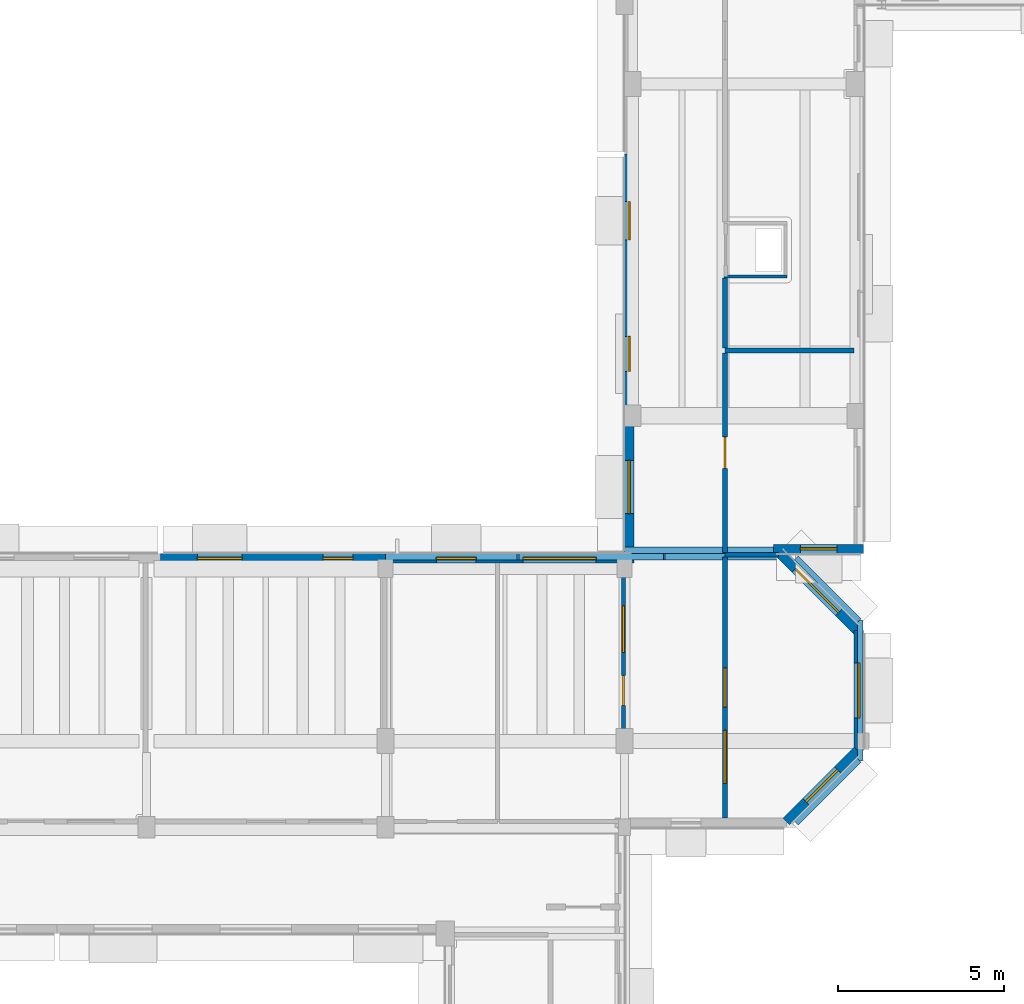
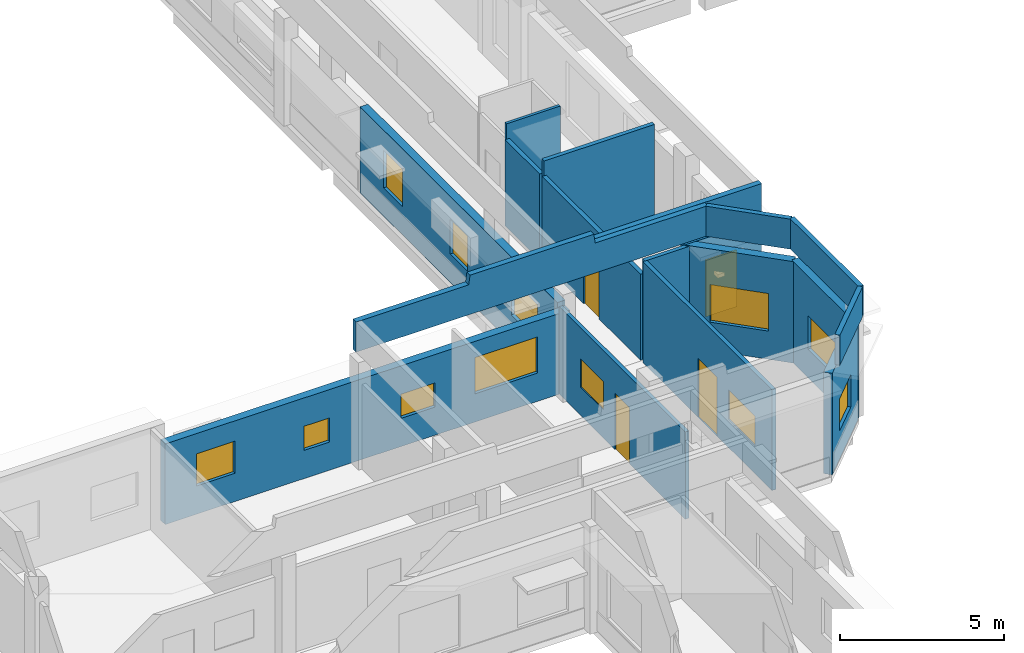
# One storey, part 11 of 17: 18 walls, 13 windows, 3 doors, 16 openings.
"""IFC4 building model written with IfcOpenShell, lengths in metres."""

from ifc_helpers import new_model, si_unit, direction, frame, frame_2d, origin, place, context, subcontext, project, spatial, polyline, rectangle, outline, extrude, material, layer, layer_set, type_object, element, fill, save


model = new_model("IFC4")

# Units and contexts
model_context = context("Model", 3, precision=1e-05, world=origin(), true_north=direction((0.0, 1.0)))
body_context = subcontext(model_context, "Body", "Model", "MODEL_VIEW")
ifc_project = project(units=[si_unit("LENGTHUNIT", "METRE"), si_unit("AREAUNIT", "SQUARE_METRE"), si_unit("VOLUMEUNIT", "CUBIC_METRE"), si_unit("PLANEANGLEUNIT", "RADIAN"), si_unit("MASSUNIT", "GRAM", prefix="KILO")], contexts=[model_context])

# Site, building, storey
site_placement = place(None, origin())
site = spatial("IfcSite", under=ifc_project, at=site_placement, CompositionType="ELEMENT")
building_placement = place(site_placement, origin())
building = spatial("IfcBuilding", under=site, at=building_placement, Name="Kelanivale Promenade Academy", CompositionType="ELEMENT")
storey_placement = place(building_placement, frame((0.0, 0.0, 20.199951171875)))
storey = spatial("IfcBuildingStorey", under=building, at=storey_placement, Name="L05", CompositionType="ELEMENT", Elevation=20.199951171875)

# Wall, opening, window
ifc_material_1 = material(Name="Insulated ivory stucco masonry wall 280 mm", Category="masonry")
ifc_layer_1 = layer(ifc_material_1, 0.280029296875)
ifc_layer_set_1 = layer_set([ifc_layer_1], Name="Insulated ivory stucco masonry wall 280 mm")
wall_type_1 = type_object("IfcWallType", Name="EW-02 Wall 280mm", PredefinedType="SOLIDWALL", material=ifc_layer_set_1)
wall_1_placement = place(storey_placement, frame((120.47607421875, 71.783935546875, 0.0), z_axis=(0.0, 0.0, 1.0), x_axis=(0.707066445384, 0.707147114688, 0.0)))
wall_1 = element("IfcWall", 1, at=wall_1_placement, inside=storey, type_object=wall_type_1, Name="L05 exterior facade wall EW-L05-ORT-0570", PredefinedType="SOLIDWALL", context=body_context, shape_type="SweptSolid", body=[
    extrude(rectangle(XDim=3.0263671875, YDim=0.280029296875, at=frame_2d((1.51318359375, 0.0))), origin(), (0.0, 0.0, 1.0), 3.780029296875),
])
opening_1_placement = place(wall_1_placement, frame((0.837890625, 0.0, 1.050048828125)))
opening_1 = element("IfcOpeningElement", 2, at=opening_1_placement, cuts=wall_1, Name="Opening WT-34", PredefinedType="OPENING", context=body_context, shape_type="SweptSolid", body=[
    extrude(rectangle(XDim=1.35009765625, YDim=1.199951171875, at=frame_2d((0.675048828125, 0.60009765625))), frame((0.0, 0.14990234375, 0.0), z_axis=(0.0, -1.0, 0.0), x_axis=(1.0, 0.0, 0.0)), (0.0, 0.0, 1.0), 0.300048828125),
])
ifc_material_2 = material(Name="Bronze anodised aluminium frame with low-E laminated glass", Category="aluminium")
window_type_1 = type_object("IfcWindowType", Name="WT-34 Window 1350x1200", PartitioningType="SINGLE_PANEL", PredefinedType="WINDOW", material=ifc_material_2)
window_1_placement = place(opening_1_placement, origin())
window_1 = element("IfcWindow", 3, at=window_1_placement, inside=storey, type_object=window_type_1, Name="Window WT-34", OverallHeight=1.199951171875, OverallWidth=1.35009765625, PartitioningType="SINGLE_PANEL", PredefinedType="WINDOW", context=body_context, shape_type="SweptSolid", body=[
    extrude(rectangle(XDim=1.35009765625, YDim=1.199951171875, at=frame_2d((0.675048828125, 0.60009765625))), frame((0.0, 0.030029296875, 0.0), z_axis=(0.0, -1.0, 0.0), x_axis=(1.0, 0.0, 0.0)), (0.0, 0.0, 1.0), 0.06005859375),
])
fill(opening_1, window_1)

wall_2_placement = place(storey_placement, frame((122.659912109375, 73.912109375, 0.0), z_axis=(0.0, 0.0, 1.0), x_axis=(0.0, 1.0, 0.0)))
wall_2 = element("IfcWall", 4, at=wall_2_placement, inside=storey, type_object=wall_type_1, Name="L05 exterior facade wall EW-L05-ORT-0571", PredefinedType="SOLIDWALL", context=body_context, shape_type="SweptSolid", body=[
    extrude(rectangle(XDim=3.6259765625, YDim=0.280029296875, at=frame_2d((1.81298828125, 0.0))), origin(), (0.0, 0.0, 1.0), 3.780029296875),
])
opening_2_placement = place(wall_2_placement, frame((0.988037109375, 0.0, 1.050048828125)))
opening_2 = element("IfcOpeningElement", 5, at=opening_2_placement, cuts=wall_2, Name="Opening WT-35", PredefinedType="OPENING", context=body_context, shape_type="SweptSolid", body=[
    extrude(rectangle(XDim=1.64990234375, YDim=1.25, at=frame_2d((0.824951171875, 0.625))), frame((0.0, 0.14990234375, 0.0), z_axis=(0.0, -1.0, 0.0), x_axis=(1.0, 0.0, 0.0)), (0.0, 0.0, 1.0), 0.300048828125),
])
window_type_2 = type_object("IfcWindowType", Name="WT-35 Window 1650x1250", PartitioningType="SINGLE_PANEL", PredefinedType="WINDOW", material=ifc_material_2)
window_2_placement = place(opening_2_placement, origin())
window_2 = element("IfcWindow", 6, at=window_2_placement, inside=storey, type_object=window_type_2, Name="Window WT-35", OverallHeight=1.25, OverallWidth=1.64990234375, PartitioningType="SINGLE_PANEL", PredefinedType="WINDOW", context=body_context, shape_type="SweptSolid", body=[
    extrude(rectangle(XDim=1.64990234375, YDim=1.25, at=frame_2d((0.824951171875, 0.625))), frame((0.0, 0.030029296875, 0.0), z_axis=(0.0, -1.0, 0.0), x_axis=(1.0, 0.0, 0.0)), (0.0, 0.0, 1.0), 0.06005859375),
])
fill(opening_2, window_2)

wall_3_placement = place(storey_placement, frame((122.615966796875, 77.52587890625, 0.0), z_axis=(0.0, 0.0, 1.0), x_axis=(-0.707071112858, 0.707142447716, 0.0)))
wall_3 = element("IfcWall", 7, at=wall_3_placement, inside=storey, type_object=wall_type_1, Name="L05 exterior facade wall EW-L05-ORT-0572", PredefinedType="SOLIDWALL", context=body_context, shape_type="SweptSolid", body=[
    extrude(rectangle(XDim=3.42236328125, YDim=0.280029296875, at=frame_2d((1.711181640625, 0.0))), origin(), (0.0, 0.0, 1.0), 3.780029296875),
])
opening_3_placement = place(wall_3_placement, frame((0.785888671875, 0.0, 1.050048828125)))
opening_3 = element("IfcOpeningElement", 8, at=opening_3_placement, cuts=wall_3, Name="Opening WT-36", PredefinedType="OPENING", context=body_context, shape_type="SweptSolid", body=[
    extrude(rectangle(XDim=1.85009765625, YDim=1.39990234375, at=frame_2d((0.925048828125, 0.699951171875))), frame((0.0, 0.14990234375, 0.0), z_axis=(0.0, -1.0, 0.0), x_axis=(1.0, 0.0, 0.0)), (0.0, 0.0, 1.0), 0.300048828125),
])
window_type_3 = type_object("IfcWindowType", Name="WT-36 Window 1850x1400", PartitioningType="SINGLE_PANEL", PredefinedType="WINDOW", material=ifc_material_2)
window_3_placement = place(opening_3_placement, origin())
window_3 = element("IfcWindow", 9, at=window_3_placement, inside=storey, type_object=window_type_3, Name="Window WT-36", OverallHeight=1.39990234375, OverallWidth=1.85009765625, PartitioningType="SINGLE_PANEL", PredefinedType="WINDOW", context=body_context, shape_type="SweptSolid", body=[
    extrude(rectangle(XDim=1.85009765625, YDim=1.39990234375, at=frame_2d((0.925048828125, 0.699951171875))), frame((0.0, 0.030029296875, 0.0), z_axis=(0.0, -1.0, 0.0), x_axis=(1.0, 0.0, 0.0)), (0.0, 0.0, 1.0), 0.06005859375),
])
fill(opening_3, window_3)

wall_4_placement = place(storey_placement, frame((120.095947265625, 79.989990234375, 0.0), z_axis=(0.0, 0.0, 1.0), x_axis=(1.0, 0.0, 0.0)))
wall_4 = element("IfcWall", 10, at=wall_4_placement, inside=storey, type_object=wall_type_1, Name="L05 exterior facade wall EW-L05-ORT-0573", PredefinedType="SOLIDWALL", context=body_context, shape_type="SweptSolid", body=[
    extrude(rectangle(XDim=2.7041015625, YDim=0.280029296875, at=frame_2d((1.35205078125, 0.0))), origin(), (0.0, 0.0, 1.0), 3.780029296875),
])
opening_4_placement = place(wall_4_placement, frame((0.802001953125, 0.0, 0.75)))
opening_4 = element("IfcOpeningElement", 11, at=opening_4_placement, cuts=wall_4, Name="Opening WT-17", PredefinedType="OPENING", context=body_context, shape_type="SweptSolid", body=[
    extrude(rectangle(XDim=1.10009765625, YDim=2.10009765625, at=frame_2d((0.550048828125, 1.050048828125))), frame((0.0, 0.14990234375, 0.0), z_axis=(0.0, -1.0, 0.0), x_axis=(1.0, 0.0, 0.0)), (0.0, 0.0, 1.0), 0.300048828125),
])
window_type_4 = type_object("IfcWindowType", Name="WT-17 Window 1100x2100", PartitioningType="SINGLE_PANEL", PredefinedType="WINDOW", material=ifc_material_2)
window_4_placement = place(opening_4_placement, origin())
window_4 = element("IfcWindow", 12, at=window_4_placement, inside=storey, type_object=window_type_4, Name="Window WT-17", OverallHeight=2.10009765625, OverallWidth=1.10009765625, PartitioningType="SINGLE_PANEL", PredefinedType="WINDOW", context=body_context, shape_type="SweptSolid", body=[
    extrude(rectangle(XDim=1.10009765625, YDim=2.10009765625, at=frame_2d((0.550048828125, 1.050048828125))), frame((0.0, 0.030029296875, 0.0), z_axis=(0.0, -1.0, 0.0), x_axis=(1.0, 0.0, 0.0)), (0.0, 0.0, 1.0), 0.06005859375),
])
fill(opening_4, window_4)

# Wall, openings, windows
wall_5_placement = place(storey_placement, frame((115.739990234375, 91.885009765625, 0.0), z_axis=(0.0, 0.0, 1.0), x_axis=(0.0, -1.0, 0.0)))
wall_5 = element("IfcWall", 13, at=wall_5_placement, inside=storey, type_object=wall_type_1, Name="L05 exterior facade wall EW-L05-ORT-0583", PredefinedType="SOLIDWALL", context=body_context, shape_type="SweptSolid", body=[
    extrude(rectangle(XDim=12.034912109375, YDim=0.280029296875, at=frame_2d((6.017578125, 0.0))), origin(), (0.0, 0.0, 1.0), 3.205078125),
])
opening_5_placement = place(wall_5_placement, frame((1.430908203125, 0.0, 1.050048828125)))
opening_5 = element("IfcOpeningElement", 14, at=opening_5_placement, cuts=wall_5, Name="Opening WT-29", PredefinedType="OPENING", context=body_context, shape_type="SweptSolid", body=[
    extrude(rectangle(XDim=1.14990234375, YDim=1.39990234375, at=frame_2d((0.574951171875, 0.699951171875))), frame((0.0, 0.14990234375, 0.0), z_axis=(0.0, -1.0, 0.0), x_axis=(1.0, 0.0, 0.0)), (0.0, 0.0, 1.0), 0.300048828125),
])
opening_6_placement = place(wall_5_placement, frame((5.492919921875, 0.0, 1.050048828125)))
opening_6 = element("IfcOpeningElement", 15, at=opening_6_placement, cuts=wall_5, Name="Opening WT-30", PredefinedType="OPENING", context=body_context, shape_type="SweptSolid", body=[
    extrude(rectangle(XDim=1.050048828125, YDim=1.300048828125, at=frame_2d((0.52490234375, 0.64990234375))), frame((0.0, 0.14990234375, 0.0), z_axis=(0.0, -1.0, 0.0), x_axis=(1.0, 0.0, 0.0)), (0.0, 0.0, 1.0), 0.300048828125),
])
opening_7_placement = place(wall_5_placement, frame((9.22900390625, 0.0, 1.050048828125)))
opening_7 = element("IfcOpeningElement", 16, at=opening_7_placement, cuts=wall_5, Name="Opening WT-07", PredefinedType="OPENING", context=body_context, shape_type="SweptSolid", body=[
    extrude(rectangle(XDim=1.60009765625, YDim=1.35009765625, at=frame_2d((0.800048828125, 0.675048828125))), frame((0.0, 0.14990234375, 0.0), z_axis=(0.0, -1.0, 0.0), x_axis=(1.0, 0.0, 0.0)), (0.0, 0.0, 1.0), 0.300048828125),
])
window_type_5 = type_object("IfcWindowType", Name="WT-07 Window 1600x1350", PartitioningType="SINGLE_PANEL", PredefinedType="WINDOW", material=ifc_material_2)
window_5_placement = place(opening_7_placement, origin())
window_5 = element("IfcWindow", 17, at=window_5_placement, inside=storey, type_object=window_type_5, Name="Window WT-07", OverallHeight=1.35009765625, OverallWidth=1.60009765625, PartitioningType="SINGLE_PANEL", PredefinedType="WINDOW", context=body_context, shape_type="SweptSolid", body=[
    extrude(rectangle(XDim=1.60009765625, YDim=1.35009765625, at=frame_2d((0.800048828125, 0.675048828125))), frame((0.0, 0.030029296875, 0.0), z_axis=(0.0, -1.0, 0.0), x_axis=(1.0, 0.0, 0.0)), (0.0, 0.0, 1.0), 0.06005859375),
])
fill(opening_7, window_5)
window_type_6 = type_object("IfcWindowType", Name="WT-29 Window 1150x1400", PartitioningType="SINGLE_PANEL", PredefinedType="WINDOW", material=ifc_material_2)
window_6_placement = place(opening_5_placement, origin())
window_6 = element("IfcWindow", 18, at=window_6_placement, inside=storey, type_object=window_type_6, Name="Window WT-29", OverallHeight=1.39990234375, OverallWidth=1.14990234375, PartitioningType="SINGLE_PANEL", PredefinedType="WINDOW", context=body_context, shape_type="SweptSolid", body=[
    extrude(rectangle(XDim=1.14990234375, YDim=1.39990234375, at=frame_2d((0.574951171875, 0.699951171875))), frame((0.0, 0.030029296875, 0.0), z_axis=(0.0, -1.0, 0.0), x_axis=(1.0, 0.0, 0.0)), (0.0, 0.0, 1.0), 0.06005859375),
])
fill(opening_5, window_6)
window_type_7 = type_object("IfcWindowType", Name="WT-30 Window 1050x1300", PartitioningType="SINGLE_PANEL", PredefinedType="WINDOW", material=ifc_material_2)
window_7_placement = place(opening_6_placement, origin())
window_7 = element("IfcWindow", 19, at=window_7_placement, inside=storey, type_object=window_type_7, Name="Window WT-30", OverallHeight=1.300048828125, OverallWidth=1.050048828125, PartitioningType="SINGLE_PANEL", PredefinedType="WINDOW", context=body_context, shape_type="SweptSolid", body=[
    extrude(rectangle(XDim=1.050048828125, YDim=1.300048828125, at=frame_2d((0.52490234375, 0.64990234375))), frame((0.0, 0.030029296875, 0.0), z_axis=(0.0, -1.0, 0.0), x_axis=(1.0, 0.0, 0.0)), (0.0, 0.0, 1.0), 0.06005859375),
])
fill(opening_6, window_7)

wall_6_placement = place(storey_placement, frame((115.8798828125, 79.7099609375, 0.0), z_axis=(0.0, 0.0, 1.0), x_axis=(-1.0, 0.0, 0.0)))
wall_6 = element("IfcWall", 20, at=wall_6_placement, inside=storey, type_object=wall_type_1, Name="L05 exterior facade wall EW-L05-ORT-0584", PredefinedType="SOLIDWALL", context=body_context, shape_type="SweptSolid", body=[
    extrude(rectangle(XDim=14.2568359375, YDim=0.280029296875, at=frame_2d((7.12841796875, 0.0))), origin(), (0.0, 0.0, 1.0), 3.005126953125),
])
opening_8_placement = place(wall_6_placement, frame((1.132080078125, 0.0, 1.050048828125)))
opening_8 = element("IfcOpeningElement", 21, at=opening_8_placement, cuts=wall_6, Name="Opening WT-08", PredefinedType="OPENING", context=body_context, shape_type="SweptSolid", body=[
    extrude(rectangle(XDim=2.199951171875, YDim=1.35009765625, at=frame_2d((1.10009765625, 0.675048828125))), frame((0.0, 0.14990234375, 0.0), z_axis=(0.0, -1.0, 0.0), x_axis=(1.0, 0.0, 0.0)), (0.0, 0.0, 1.0), 0.300048828125),
])
opening_9_placement = place(wall_6_placement, frame((4.74609375, 0.0, 1.050048828125)))
opening_9 = element("IfcOpeningElement", 22, at=opening_9_placement, cuts=wall_6, Name="Opening WT-09", PredefinedType="OPENING", context=body_context, shape_type="SweptSolid", body=[
    extrude(rectangle(XDim=1.199951171875, YDim=0.89990234375, at=frame_2d((0.60009765625, 0.449951171875))), frame((0.0, 0.14990234375, 0.0), z_axis=(0.0, -1.0, 0.0), x_axis=(1.0, 0.0, 0.0)), (0.0, 0.0, 1.0), 0.300048828125),
])
opening_10_placement = place(wall_6_placement, frame((8.4609375, 0.0, 1.050048828125)))
opening_10 = element("IfcOpeningElement", 23, at=opening_10_placement, cuts=wall_6, Name="Opening WT-10", PredefinedType="OPENING", context=body_context, shape_type="SweptSolid", body=[
    extrude(rectangle(XDim=0.89990234375, YDim=0.89990234375, at=frame_2d((0.449951171875, 0.449951171875))), frame((0.0, 0.14990234375, 0.0), z_axis=(0.0, -1.0, 0.0), x_axis=(1.0, 0.0, 0.0)), (0.0, 0.0, 1.0), 0.300048828125),
])
opening_11_placement = place(wall_6_placement, frame((11.800048828125, 0.0, 1.050048828125)))
opening_11 = element("IfcOpeningElement", 24, at=opening_11_placement, cuts=wall_6, Name="Opening WT-34", PredefinedType="OPENING", context=body_context, shape_type="SweptSolid", body=[
    extrude(rectangle(XDim=1.35009765625, YDim=1.199951171875, at=frame_2d((0.675048828125, 0.60009765625))), frame((0.0, 0.14990234375, 0.0), z_axis=(0.0, -1.0, 0.0), x_axis=(1.0, 0.0, 0.0)), (0.0, 0.0, 1.0), 0.300048828125),
])
window_type_8 = type_object("IfcWindowType", Name="WT-08 Window 2200x1350", PartitioningType="SINGLE_PANEL", PredefinedType="WINDOW", material=ifc_material_2)
window_8_placement = place(opening_8_placement, origin())
window_8 = element("IfcWindow", 25, at=window_8_placement, inside=storey, type_object=window_type_8, Name="Window WT-08", OverallHeight=1.35009765625, OverallWidth=2.199951171875, PartitioningType="SINGLE_PANEL", PredefinedType="WINDOW", context=body_context, shape_type="SweptSolid", body=[
    extrude(rectangle(XDim=2.199951171875, YDim=1.35009765625, at=frame_2d((1.10009765625, 0.675048828125))), frame((0.0, 0.030029296875, 0.0), z_axis=(0.0, -1.0, 0.0), x_axis=(1.0, 0.0, 0.0)), (0.0, 0.0, 1.0), 0.06005859375),
])
fill(opening_8, window_8)
window_type_9 = type_object("IfcWindowType", Name="WT-09 Window 1200x900", PartitioningType="SINGLE_PANEL", PredefinedType="WINDOW", material=ifc_material_2)
window_9_placement = place(opening_9_placement, origin())
window_9 = element("IfcWindow", 26, at=window_9_placement, inside=storey, type_object=window_type_9, Name="Window WT-09", OverallHeight=0.89990234375, OverallWidth=1.199951171875, PartitioningType="SINGLE_PANEL", PredefinedType="WINDOW", context=body_context, shape_type="SweptSolid", body=[
    extrude(rectangle(XDim=1.199951171875, YDim=0.89990234375, at=frame_2d((0.60009765625, 0.449951171875))), frame((0.0, 0.030029296875, 0.0), z_axis=(0.0, -1.0, 0.0), x_axis=(1.0, 0.0, 0.0)), (0.0, 0.0, 1.0), 0.06005859375),
])
fill(opening_9, window_9)
window_type_10 = type_object("IfcWindowType", Name="WT-10 Window 900x900", PartitioningType="SINGLE_PANEL", PredefinedType="WINDOW", material=ifc_material_2)
window_10_placement = place(opening_10_placement, origin())
window_10 = element("IfcWindow", 27, at=window_10_placement, inside=storey, type_object=window_type_10, Name="Window WT-10", OverallHeight=0.89990234375, OverallWidth=0.89990234375, PartitioningType="SINGLE_PANEL", PredefinedType="WINDOW", context=body_context, shape_type="SweptSolid", body=[
    extrude(rectangle(XDim=0.89990234375, YDim=0.89990234375, at=frame_2d((0.449951171875, 0.449951171875))), frame((0.0, 0.030029296875, 0.0), z_axis=(0.0, -1.0, 0.0), x_axis=(1.0, 0.0, 0.0)), (0.0, 0.0, 1.0), 0.06005859375),
])
fill(opening_10, window_10)
window_11_placement = place(opening_11_placement, origin())
window_11 = element("IfcWindow", 28, at=window_11_placement, inside=storey, type_object=window_type_1, Name="Window WT-34", OverallHeight=1.199951171875, OverallWidth=1.35009765625, PartitioningType="SINGLE_PANEL", PredefinedType="WINDOW", context=body_context, shape_type="SweptSolid", body=[
    extrude(rectangle(XDim=1.35009765625, YDim=1.199951171875, at=frame_2d((0.675048828125, 0.60009765625))), frame((0.0, 0.030029296875, 0.0), z_axis=(0.0, -1.0, 0.0), x_axis=(1.0, 0.0, 0.0)), (0.0, 0.0, 1.0), 0.06005859375),
])
fill(opening_11, window_11)

# Wall
ifc_material_3 = material(Name="Acoustic gypsum-lined masonry partition 150 mm", Category="masonry")
ifc_layer_2 = layer(ifc_material_3, 0.14990234375)
ifc_layer_set_2 = layer_set([ifc_layer_2], Name="Acoustic gypsum-lined masonry partition 150 mm")
wall_type_2 = type_object("IfcWallType", Name="IW-03 Wall 150mm", PredefinedType="PARTITIONING", material=ifc_layer_set_2)
wall_7_placement = place(storey_placement, frame((122.52197265625, 85.969970703125, 0.0), z_axis=(0.0, 0.0, 1.0), x_axis=(-1.0, 0.0, 0.0)))
element("IfcWall", 29, at=wall_7_placement, inside=storey, type_object=wall_type_2, Name="L05 partition Chemical Prep Room", PredefinedType="PARTITIONING", context=body_context, shape_type="SweptSolid", body=[
    extrude(rectangle(XDim=3.89208984375, YDim=0.14990234375, at=frame_2d((1.946044921875, 0.0))), origin(), (0.0, 0.0, 1.0), 3.755126953125),
])

# Wall, opening, door
wall_8_placement = place(storey_placement, frame((118.6298828125, 85.89697265625, 0.0), z_axis=(0.0, 0.0, 1.0), x_axis=(0.0, -1.0, 0.0)))
wall_8 = element("IfcWall", 30, at=wall_8_placement, inside=storey, type_object=wall_type_2, Name="L05 partition Chemical Prep Room", PredefinedType="PARTITIONING", context=body_context, shape_type="SweptSolid", body=[
    extrude(rectangle(XDim=6.009033203125, YDim=0.14990234375, at=frame_2d((3.00439453125, 0.0))), origin(), (0.0, 0.0, 1.0), 3.205078125),
])
opening_12_placement = place(wall_8_placement, frame((2.530029296875, 0.0, 0.0)))
opening_12 = element("IfcOpeningElement", 31, at=opening_12_placement, cuts=wall_8, Name="Opening ID-L05-210", PredefinedType="OPENING", context=body_context, shape_type="SweptSolid", body=[
    extrude(rectangle(XDim=0.949951171875, YDim=2.10009765625, at=frame_2d((0.47509765625, 1.050048828125))), frame((0.0, 0.0849609375, 0.0), z_axis=(0.0, -1.0, 0.0), x_axis=(1.0, 0.0, 0.0)), (0.0, 0.0, 1.0), 0.169921875),
])
ifc_material_4 = material(Name="Fire-rated steel-core teak veneer", Category="steel")
door_type_1 = type_object("IfcDoorType", Name="DT-F07 Door 950x2100", OperationType="NOTDEFINED", PredefinedType="DOOR", material=ifc_material_4)
door_1_placement = place(opening_12_placement, origin())
door_1 = element("IfcDoor", 32, at=door_1_placement, inside=storey, type_object=door_type_1, Name="Chemical Prep Room door ID-L05-210", OperationType="SINGLE_SWING_LEFT", OverallHeight=2.10009765625, OverallWidth=0.949951171875, PredefinedType="DOOR", context=body_context, shape_type="SweptSolid", body=[
    extrude(rectangle(XDim=0.949951171875, YDim=2.10009765625, at=frame_2d((0.47509765625, 1.050048828125))), frame((0.0, 0.02490234375, 0.0), z_axis=(0.0, -1.0, 0.0), x_axis=(1.0, 0.0, 0.0)), (0.0, 0.0, 1.0), 0.050048828125),
])
fill(opening_12, door_1)

# Walls
wall_9_placement = place(storey_placement, frame((118.6298828125, 88.152099609375, 0.0), z_axis=(0.0, 0.0, 1.0), x_axis=(0.0, -1.0, 0.0)))
element("IfcWall", 33, at=wall_9_placement, inside=storey, type_object=wall_type_2, Name="L05 partition Research Instrument Studio", PredefinedType="PARTITIONING", context=body_context, shape_type="SweptSolid", body=[
    extrude(rectangle(XDim=2.109130859375, YDim=0.14990234375, at=frame_2d((1.0546875, 0.0))), origin(), (0.0, 0.0, 1.0), 3.205078125),
])
ifc_material_5 = material(Name="Acoustic double-stud gypsum board partition 140 mm", Category="masonry")
ifc_layer_3 = layer(ifc_material_5, 0.139892578125)
ifc_layer_set_3 = layer_set([ifc_layer_3], Name="Acoustic double-stud gypsum board partition 140 mm")
wall_type_3 = type_object("IfcWallType", Name="IW-04 Wall 140mm", PredefinedType="PARTITIONING", material=ifc_layer_set_3)
wall_10_placement = place(storey_placement, frame((120.2451171875, 79.820068359375, 0.0), z_axis=(0.0, 0.0, 1.0), x_axis=(-1.0, 0.0, 0.0)))
element("IfcWall", 34, at=wall_10_placement, inside=storey, type_object=wall_type_3, Name="L05 partition Academic Archive Seminar Room", PredefinedType="PARTITIONING", context=body_context, shape_type="SweptSolid", body=[
    extrude(rectangle(XDim=1.615234375, YDim=0.139892578125, at=frame_2d((0.8076171875, 0.0))), origin(), (0.0, 0.0, 1.0), 3.755126953125),
])

# Wall, openings, door, window
wall_11_placement = place(storey_placement, frame((118.6298828125, 79.751953125, 0.0), z_axis=(0.0, 0.0, 1.0), x_axis=(0.0, -1.0, 0.0)))
wall_11 = element("IfcWall", 35, at=wall_11_placement, inside=storey, type_object=wall_type_3, Name="L05 partition Academic Archive Seminar Room", PredefinedType="PARTITIONING", context=body_context, shape_type="SweptSolid", body=[
    extrude(rectangle(XDim=7.8740234375, YDim=0.139892578125, at=frame_2d((3.93701171875, 0.0))), origin(), (0.0, 0.0, 1.0), 3.755126953125),
])
opening_13_placement = place(wall_11_placement, frame((3.346923828125, 0.0, 0.0)))
opening_13 = element("IfcOpeningElement", 36, at=opening_13_placement, cuts=wall_11, Name="Opening ID-L05-209", PredefinedType="OPENING", context=body_context, shape_type="SweptSolid", body=[
    extrude(rectangle(XDim=1.179931640625, YDim=2.199951171875, at=frame_2d((0.58984375, 1.10009765625))), frame((0.0, 0.080078125, 0.0), z_axis=(0.0, -1.0, 0.0), x_axis=(1.0, 0.0, 0.0)), (0.0, 0.0, 1.0), 0.159912109375),
])
opening_14_placement = place(wall_11_placement, frame((5.22705078125, 0.0, 1.050048828125)))
opening_14 = element("IfcOpeningElement", 37, at=opening_14_placement, cuts=wall_11, Name="Opening WT-I01", PredefinedType="OPENING", context=body_context, shape_type="SweptSolid", body=[
    extrude(rectangle(XDim=1.60009765625, YDim=1.10009765625, at=frame_2d((0.800048828125, 0.550048828125))), frame((0.0, 0.080078125, 0.0), z_axis=(0.0, -1.0, 0.0), x_axis=(1.0, 0.0, 0.0)), (0.0, 0.0, 1.0), 0.159912109375),
])
ifc_material_6 = material(Name="Solid-core tropical teak timber", Category="wood")
door_type_2 = type_object("IfcDoorType", Name="DT-I18 Door 1180x2200", OperationType="NOTDEFINED", PredefinedType="DOOR", material=ifc_material_6)
door_2_placement = place(opening_13_placement, origin())
door_2 = element("IfcDoor", 38, at=door_2_placement, inside=storey, type_object=door_type_2, Name="Academic Archive Seminar Room door ID-L05-209", OperationType="SINGLE_SWING_RIGHT", OverallHeight=2.199951171875, OverallWidth=1.179931640625, PredefinedType="DOOR", context=body_context, shape_type="SweptSolid", body=[
    extrude(rectangle(XDim=1.179931640625, YDim=2.199951171875, at=frame_2d((0.58984375, 1.10009765625))), frame((0.0, 0.02490234375, 0.0), z_axis=(0.0, -1.0, 0.0), x_axis=(1.0, 0.0, 0.0)), (0.0, 0.0, 1.0), 0.050048828125),
])
fill(opening_13, door_2)
window_type_11 = type_object("IfcWindowType", Name="WT-I01 Window 1600x1100", PartitioningType="SINGLE_PANEL", PredefinedType="WINDOW", material=ifc_material_2)
window_12_placement = place(opening_14_placement, origin())
window_12 = element("IfcWindow", 39, at=window_12_placement, inside=storey, type_object=window_type_11, Name="Interior observation window WT-I01", OverallHeight=1.10009765625, OverallWidth=1.60009765625, PartitioningType="SINGLE_PANEL", PredefinedType="WINDOW", context=body_context, shape_type="SweptSolid", body=[
    extrude(rectangle(XDim=1.60009765625, YDim=1.10009765625, at=frame_2d((0.800048828125, 0.550048828125))), frame((0.0, 0.030029296875, 0.0), z_axis=(0.0, -1.0, 0.0), x_axis=(1.0, 0.0, 0.0)), (0.0, 0.0, 1.0), 0.06005859375),
])
fill(opening_14, window_12)

ifc_material_7 = material(Name="Moisture-resistant masonry wet-room partition 125 mm", Category="masonry")
ifc_layer_4 = layer(ifc_material_7, 0.125)
ifc_layer_set_4 = layer_set([ifc_layer_4], Name="Moisture-resistant masonry wet-room partition 125 mm")
wall_type_4 = type_object("IfcWallType", Name="IW-05 Wall 125mm", PredefinedType="PARTITIONING", material=ifc_layer_set_4)
wall_12_placement = place(storey_placement, frame((115.570068359375, 71.8779296875, 0.0), z_axis=(0.0, 0.0, 1.0), x_axis=(0.0, 1.0, 0.0)))
wall_12 = element("IfcWall", 40, at=wall_12_placement, inside=storey, type_object=wall_type_4, Name="L05 partition Staff Washroom", PredefinedType="PARTITIONING", context=body_context, shape_type="SweptSolid", body=[
    extrude(rectangle(XDim=7.694091796875, YDim=0.125, at=frame_2d((3.84716796875, 0.0))), origin(), (0.0, 0.0, 1.0), 3.255126953125),
])
opening_15_placement = place(wall_12_placement, frame((3.39697265625, 0.0, 0.0)))
opening_15 = element("IfcOpeningElement", 41, at=opening_15_placement, cuts=wall_12, Name="Opening ID-L05-208", PredefinedType="OPENING", context=body_context, shape_type="SweptSolid", body=[
    extrude(rectangle(XDim=0.89990234375, YDim=2.10009765625, at=frame_2d((0.449951171875, 1.050048828125))), frame((0.0, 0.072509765625, 0.0), z_axis=(0.0, -1.0, 0.0), x_axis=(1.0, 0.0, 0.0)), (0.0, 0.0, 1.0), 0.14501953125),
])
opening_16_placement = place(wall_12_placement, frame((4.9970703125, 0.0, 1.050048828125)))
opening_16 = element("IfcOpeningElement", 42, at=opening_16_placement, cuts=wall_12, Name="Opening WT-I03", PredefinedType="OPENING", context=body_context, shape_type="SweptSolid", body=[
    extrude(rectangle(XDim=1.39990234375, YDim=1.050048828125, at=frame_2d((0.699951171875, 0.52490234375))), frame((0.0, 0.072509765625, 0.0), z_axis=(0.0, -1.0, 0.0), x_axis=(1.0, 0.0, 0.0)), (0.0, 0.0, 1.0), 0.14501953125),
])
door_type_3 = type_object("IfcDoorType", Name="DT-I06 Door 900x2100", OperationType="NOTDEFINED", PredefinedType="DOOR", material=ifc_material_6)
door_3_placement = place(opening_15_placement, origin())
door_3 = element("IfcDoor", 43, at=door_3_placement, inside=storey, type_object=door_type_3, Name="Staff Washroom door ID-L05-208", OperationType="SINGLE_SWING_LEFT", OverallHeight=2.10009765625, OverallWidth=0.89990234375, PredefinedType="DOOR", context=body_context, shape_type="SweptSolid", body=[
    extrude(rectangle(XDim=0.89990234375, YDim=2.10009765625, at=frame_2d((0.449951171875, 1.050048828125))), frame((0.0, 0.02490234375, 0.0), z_axis=(0.0, -1.0, 0.0), x_axis=(1.0, 0.0, 0.0)), (0.0, 0.0, 1.0), 0.050048828125),
])
fill(opening_15, door_3)
window_type_12 = type_object("IfcWindowType", Name="WT-I03 Window 1400x1050", PartitioningType="SINGLE_PANEL", PredefinedType="WINDOW", material=ifc_material_2)
window_13_placement = place(opening_16_placement, origin())
window_13 = element("IfcWindow", 44, at=window_13_placement, inside=storey, type_object=window_type_12, Name="Interior observation window WT-I03", OverallHeight=1.050048828125, OverallWidth=1.39990234375, PartitioningType="SINGLE_PANEL", PredefinedType="WINDOW", context=body_context, shape_type="SweptSolid", body=[
    extrude(rectangle(XDim=1.39990234375, YDim=1.050048828125, at=frame_2d((0.699951171875, 0.52490234375))), frame((0.0, 0.030029296875, 0.0), z_axis=(0.0, -1.0, 0.0), x_axis=(1.0, 0.0, 0.0)), (0.0, 0.0, 1.0), 0.06005859375),
])
fill(opening_16, window_13)

# Walls
ifc_material_8 = material(Name="Fire-rated service riser shaft wall 100 mm", Category="masonry")
ifc_layer_5 = layer(ifc_material_8, 0.10009765625)
ifc_layer_set_5 = layer_set([ifc_layer_5], Name="Fire-rated service riser shaft wall 100 mm")
wall_type_5 = type_object("IfcWallType", Name="IW-07 Wall 100mm", PredefinedType="PARTITIONING", material=ifc_layer_set_5)
wall_13_placement = place(storey_placement, frame((118.60009765625, 88.199951171875, 0.0), z_axis=(0.0, 0.0, 1.0), x_axis=(1.0, 0.0, 0.0)))
element("IfcWall", 45, at=wall_13_placement, inside=storey, type_object=wall_type_5, Name="L05 service riser south enclosure wall", PredefinedType="PARTITIONING", context=body_context, shape_type="SweptSolid", body=[
    extrude(rectangle(XDim=1.89990234375, YDim=0.10009765625, at=frame_2d((0.949951171875, 0.0))), origin(), (0.0, 0.0, 1.0), 3.780029296875),
])
ifc_material_9 = material(Name="Precast concrete C40/50", Category="concrete")
ifc_layer_6 = layer(ifc_material_9, 0.195068359375)
ifc_layer_set_6 = layer_set([ifc_layer_6], Name="Precast concrete C40/50")
wall_type_6 = type_object("IfcWallType", Name="PW-01 Wall 195mm", PredefinedType="PARAPET", material=ifc_layer_set_6)
wall_14_placement = place(storey_placement, frame((120.7880859375, 79.751953125, 4.0), z_axis=(0.0, 0.0, 1.0), x_axis=(-1.0, 0.0, 0.0)))
element("IfcWall", 46, at=wall_14_placement, inside=storey, type_object=wall_type_6, Name="RF stepped Art Deco roof parapet", PredefinedType="PARAPET", context=body_context, shape_type="SweptSolid", body=[
    extrude(outline(polyline([(0.0, 0.0), (12.38720703125, 0.0), (12.386962890625, 1.1201171875), (8.423095703125, 1.1201171875), (8.373046875, 1.4599609375), (4.013916015625, 1.4599609375), (3.964111328125, 1.1201171875), (0.0, 1.1201171875), (0.0, 0.0)])), frame((0.0, 0.09765625, 0.0), z_axis=(0.0, -1.0, 0.0), x_axis=(1.0, 0.0, 0.0)), (0.0, 0.0, 1.0), 0.195068359375),
])
wall_15_placement = place(storey_placement, frame((115.60009765625, 79.947998046875, 4.0), z_axis=(0.0, 0.0, 1.0), x_axis=(1.0, 0.0, 0.0)))
element("IfcWall", 47, at=wall_15_placement, inside=storey, type_object=wall_type_6, Name="RF stepped Art Deco roof parapet", PredefinedType="PARAPET", context=body_context, shape_type="SweptSolid", body=[
    extrude(rectangle(XDim=7.198974609375, YDim=0.195068359375, at=frame_2d((3.599609375, 0.0))), origin(), (0.0, 0.0, 1.0), 1.1201171875),
])
ifc_layer_7 = layer(ifc_material_9, 0.1650390625)
ifc_layer_set_7 = layer_set([ifc_layer_7], Name="Precast concrete C40/50")
wall_type_7 = type_object("IfcWallType", Name="PW-02 Wall 165mm", PredefinedType="PARAPET", material=ifc_layer_set_7)
wall_16_placement = place(storey_placement, frame((120.778076171875, 71.72705078125, 4.0), z_axis=(0.0, 0.0, 1.0), x_axis=(0.707106781187, 0.707106781187, 0.0)))
element("IfcWall", 48, at=wall_16_placement, inside=storey, type_object=wall_type_7, Name="RF stepped Art Deco roof parapet", PredefinedType="PARAPET", context=body_context, shape_type="SweptSolid", body=[
    extrude(rectangle(XDim=2.679931640625, YDim=0.1650390625, at=frame_2d((1.33984375, 0.0))), origin(), (0.0, 0.0, 1.0), 1.1201171875),
])
wall_17_placement = place(storey_placement, frame((122.701904296875, 73.612060546875, 4.0), z_axis=(0.0, 0.0, 1.0), x_axis=(0.0, 1.0, 0.0)))
element("IfcWall", 49, at=wall_17_placement, inside=storey, type_object=wall_type_7, Name="RF stepped Art Deco roof parapet", PredefinedType="PARAPET", context=body_context, shape_type="SweptSolid", body=[
    extrude(rectangle(XDim=4.225830078125, YDim=0.1650390625, at=frame_2d((2.11279296875, 0.0))), origin(), (0.0, 0.0, 1.0), 1.1201171875),
])
wall_18_placement = place(storey_placement, frame((122.673095703125, 77.827880859375, 4.0), z_axis=(0.0, 0.0, 1.0), x_axis=(-0.707106781187, 0.707106781187, 0.0)))
element("IfcWall", 50, at=wall_18_placement, inside=storey, type_object=wall_type_7, Name="RF stepped Art Deco roof parapet", PredefinedType="PARAPET", context=body_context, shape_type="SweptSolid", body=[
    extrude(rectangle(XDim=2.679931640625, YDim=0.1650390625, at=frame_2d((1.33984375, 0.0))), origin(), (0.0, 0.0, 1.0), 1.1201171875),
])

save(model, "model.ifc")
